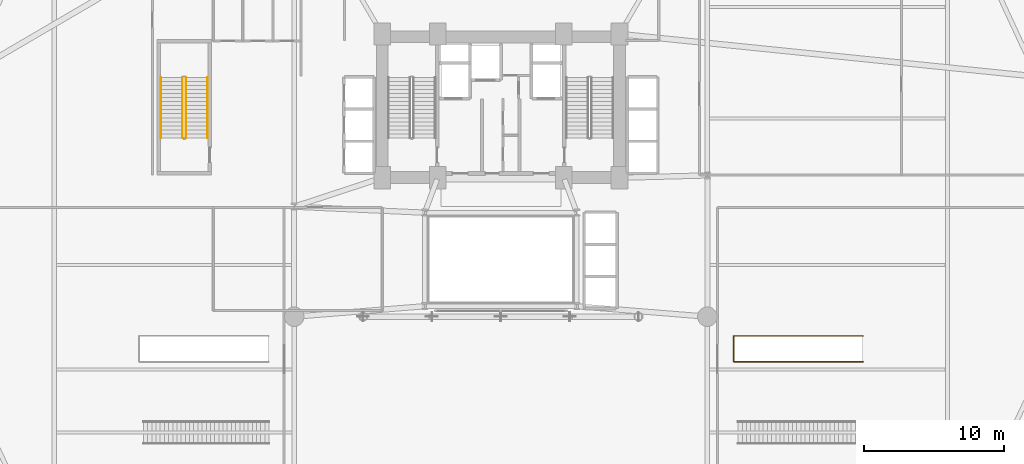
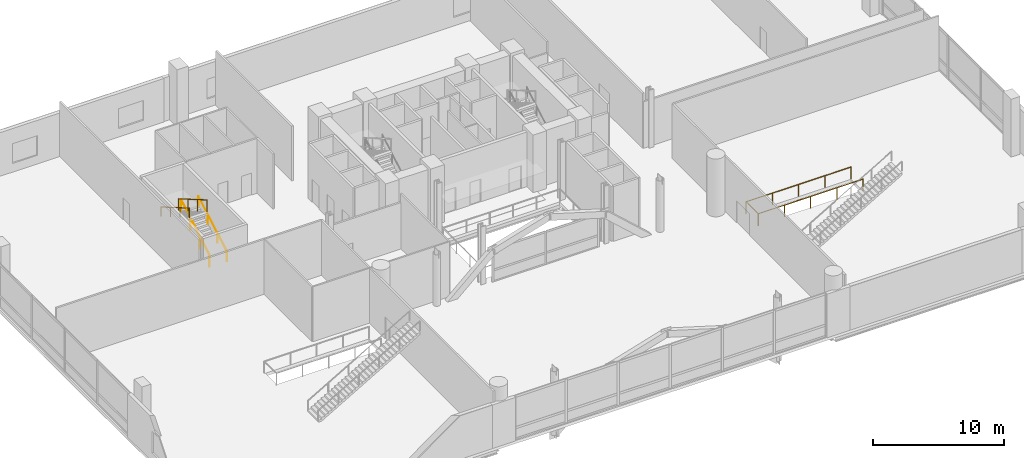
# One storey, part 33 of 36: 5 railings.
"""IFC4 building model written with IfcOpenShell, lengths in metres."""

from ifc_helpers import new_model, si_unit, direction, frame, origin, origin_2d, place, context, subcontext, project, spatial, circle, extrude, material, type_object, element, save


model = new_model("IFC4")

# Units and contexts
model_context = context("Model", 3, precision=1e-05, world=origin(), true_north=direction((0.0, 1.0)))
body_context = subcontext(model_context, "Body", "Model", "MODEL_VIEW")
ifc_project = project(units=[si_unit("LENGTHUNIT", "METRE"), si_unit("AREAUNIT", "SQUARE_METRE"), si_unit("VOLUMEUNIT", "CUBIC_METRE"), si_unit("PLANEANGLEUNIT", "RADIAN"), si_unit("MASSUNIT", "GRAM", prefix="KILO")], contexts=[model_context])

# Site, building, storey
site_placement = place(None, origin())
site = spatial("IfcSite", under=ifc_project, at=site_placement, CompositionType="ELEMENT")
building_placement = place(site_placement, origin())
building = spatial("IfcBuilding", under=site, at=building_placement, Name="Varnelok Gate Tower", CompositionType="ELEMENT")
storey_placement = place(building_placement, frame((0.0, 0.0, 10.800048828125)))
storey = spatial("IfcBuildingStorey", under=building, at=storey_placement, Name="L02", CompositionType="ELEMENT", Elevation=10.800048828125)

# Railings
ifc_material_1 = material(Name="Brushed Stainless Steel AISI 316", Category="steel")
railing_type_1 = type_object("IfcRailingType", Name="RL-HANDRAIL-900", PredefinedType="HANDRAIL", material=ifc_material_1)
railing_1_placement = place(storey_placement, frame((18.199951171875, 31.60009765625, 0.168701171875)))
element("IfcRailing", 1, at=railing_1_placement, inside=storey, type_object=railing_type_1, Name="L02 ST-3 stair handrail 1", PredefinedType="HANDRAIL", context=body_context, shape_type="SweptSolid", body=[
    extrude(circle(Radius=0.02392578125, at=origin_2d()), frame((0.0, 0.0, 0.8759765625), z_axis=(0.0, 0.864311530196, 0.502956835891), x_axis=(-1.0, 0.0, 0.0)), (0.0, 0.0, 1.0), 5.03271484375),
    extrude(circle(Radius=0.02099609375, at=origin_2d()), origin(), (0.0, 0.0, 1.0), 0.851806640625),
    extrude(circle(Radius=0.02099609375, at=origin_2d()), frame((0.0, 1.449951171875, 0.84375)), (0.0, 0.0, 1.0), 0.851806640625),
    extrude(circle(Radius=0.02099609375, at=origin_2d()), frame((0.0, 2.89990234375, 1.6875)), (0.0, 0.0, 1.0), 0.851806640625),
    extrude(circle(Radius=0.02099609375, at=origin_2d()), frame((0.0, 4.349853515625, 2.53125)), (0.0, 0.0, 1.0), 0.851806640625),
])
railing_2_placement = place(storey_placement, frame((14.85009765625, 35.949951171875, 2.86865234375)))
element("IfcRailing", 2, at=railing_2_placement, inside=storey, type_object=railing_type_1, Name="L02 ST-3 stair handrail 2", PredefinedType="HANDRAIL", context=body_context, shape_type="SweptSolid", body=[
    extrude(circle(Radius=0.02392578125, at=origin_2d()), frame((0.0, 0.0, 0.8759765625), z_axis=(0.0, -0.864311530196, 0.502956835891), x_axis=(1.0, 0.0, 0.0)), (0.0, 0.0, 1.0), 5.03271484375),
    extrude(circle(Radius=0.02099609375, at=origin_2d()), origin(), (0.0, 0.0, 1.0), 0.851806640625),
    extrude(circle(Radius=0.02099609375, at=origin_2d()), frame((0.0, -1.449951171875, 0.84375)), (0.0, 0.0, 1.0), 0.851806640625),
    extrude(circle(Radius=0.02099609375, at=origin_2d()), frame((0.0, -2.89990234375, 1.6875)), (0.0, 0.0, 1.0), 0.851806640625),
    extrude(circle(Radius=0.02099609375, at=origin_2d()), frame((0.0, -4.349853515625, 2.53125)), (0.0, 0.0, 1.0), 0.851806640625),
])
ifc_material_2 = material(Name="Galvanized Steel Grade S350GD", Category="steel")
railing_type_2 = type_object("IfcRailingType", Name="RL-STAIR-GUARD1120", PredefinedType="GUARDRAIL", material=ifc_material_2)
railing_3_placement = place(storey_placement, frame((16.64990234375, 31.60009765625, 0.168701171875)))
element("IfcRailing", 3, at=railing_3_placement, inside=storey, type_object=railing_type_2, Name="L02 ST-3 stair guard 1", PredefinedType="GUARDRAIL", context=body_context, shape_type="SweptSolid", body=[
    extrude(circle(Radius=0.02392578125, at=origin_2d()), frame((0.0, 0.0, 1.09619140625), z_axis=(0.0, 0.864311530196, 0.502956835891), x_axis=(-1.0, 0.0, 0.0)), (0.0, 0.0, 1.0), 5.03271484375),
    extrude(circle(Radius=0.02099609375, at=origin_2d()), origin(), (0.0, 0.0, 1.0), 1.072021484375),
    extrude(circle(Radius=0.02099609375, at=origin_2d()), frame((0.0, 1.449951171875, 0.84375)), (0.0, 0.0, 1.0), 1.072021484375),
    extrude(circle(Radius=0.02099609375, at=origin_2d()), frame((0.0, 2.89990234375, 1.6875)), (0.0, 0.0, 1.0), 1.072021484375),
    extrude(circle(Radius=0.02099609375, at=origin_2d()), frame((0.0, 4.349853515625, 2.53125)), (0.0, 0.0, 1.0), 1.072021484375),
])
railing_4_placement = place(storey_placement, frame((16.39990234375, 35.949951171875, 2.86865234375)))
element("IfcRailing", 4, at=railing_4_placement, inside=storey, type_object=railing_type_2, Name="L02 ST-3 stair guard 3", PredefinedType="GUARDRAIL", context=body_context, shape_type="SweptSolid", body=[
    extrude(circle(Radius=0.02392578125, at=origin_2d()), frame((0.0, 0.0, 1.09619140625), z_axis=(0.0, -0.864311530196, 0.502956835891), x_axis=(1.0, 0.0, 0.0)), (0.0, 0.0, 1.0), 5.03271484375),
    extrude(circle(Radius=0.02099609375, at=origin_2d()), origin(), (0.0, 0.0, 1.0), 1.072021484375),
    extrude(circle(Radius=0.02099609375, at=origin_2d()), frame((0.0, -1.449951171875, 0.84375)), (0.0, 0.0, 1.0), 1.072021484375),
    extrude(circle(Radius=0.02099609375, at=origin_2d()), frame((0.0, -2.89990234375, 1.6875)), (0.0, 0.0, 1.0), 1.072021484375),
    extrude(circle(Radius=0.02099609375, at=origin_2d()), frame((0.0, -4.349853515625, 2.53125)), (0.0, 0.0, 1.0), 1.072021484375),
])
railing_5_placement = place(storey_placement, frame((65.159912109375, 15.574951171875, 0.0)))
element("IfcRailing", 5, at=railing_5_placement, inside=storey, type_object=railing_type_2, Name="L02 Stair ST-5 Well Guardrail", PredefinedType="GUARDRAIL", context=body_context, shape_type="SweptSolid", body=[
    extrude(circle(Radius=0.02392578125, at=origin_2d()), frame((0.0, 0.0, 1.09619140625), z_axis=(-1.0, 0.0, 0.0), x_axis=(0.0, -1.0, 0.0)), (0.0, 0.0, 1.0), 9.27001953125),
    extrude(circle(Radius=0.02392578125, at=origin_2d()), frame((-9.27001953125, 0.0, 1.09619140625), z_axis=(0.0, 1.0, 0.0), x_axis=(-1.0, 0.0, 0.0)), (0.0, 0.0, 1.0), 1.85009765625),
    extrude(circle(Radius=0.02392578125, at=origin_2d()), frame((-9.27001953125, 1.85009765625, 1.09619140625), z_axis=(1.0, 0.0, 0.0), x_axis=(0.0, 1.0, 0.0)), (0.0, 0.0, 1.0), 9.27001953125),
    extrude(circle(Radius=0.02099609375, at=origin_2d()), origin(), (0.0, 0.0, 1.0), 1.072021484375),
    extrude(circle(Radius=0.02099609375, at=origin_2d()), frame((-2.3173828125, 0.0, 0.0)), (0.0, 0.0, 1.0), 1.072021484375),
    extrude(circle(Radius=0.02099609375, at=origin_2d()), frame((-4.635009765625, 0.0, 0.0)), (0.0, 0.0, 1.0), 1.072021484375),
    extrude(circle(Radius=0.02099609375, at=origin_2d()), frame((-6.95263671875, 0.0, 0.0)), (0.0, 0.0, 1.0), 1.072021484375),
    extrude(circle(Radius=0.02099609375, at=origin_2d()), frame((-9.27001953125, 0.0, 0.0)), (0.0, 0.0, 1.0), 1.072021484375),
    extrude(circle(Radius=0.02099609375, at=origin_2d()), frame((-9.27001953125, 1.85009765625, 0.0)), (0.0, 0.0, 1.0), 1.072021484375),
    extrude(circle(Radius=0.02099609375, at=origin_2d()), frame((-6.95263671875, 1.85009765625, 0.0)), (0.0, 0.0, 1.0), 1.072021484375),
    extrude(circle(Radius=0.02099609375, at=origin_2d()), frame((-4.635009765625, 1.85009765625, 0.0)), (0.0, 0.0, 1.0), 1.072021484375),
    extrude(circle(Radius=0.02099609375, at=origin_2d()), frame((-2.3173828125, 1.85009765625, 0.0)), (0.0, 0.0, 1.0), 1.072021484375),
    extrude(circle(Radius=0.02099609375, at=origin_2d()), frame((0.0, 1.85009765625, 0.0)), (0.0, 0.0, 1.0), 1.072021484375),
])

save(model, "model.ifc")
